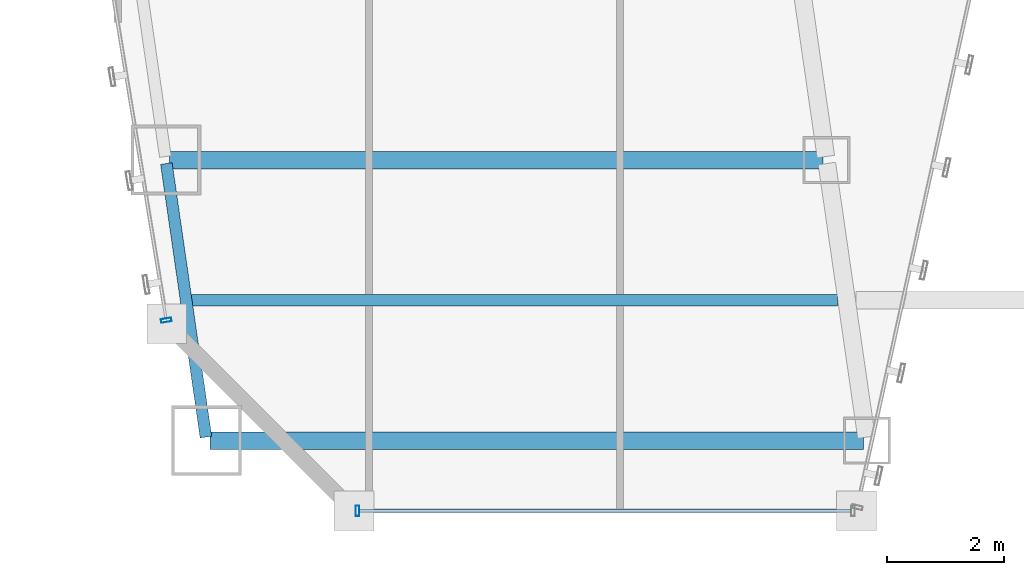
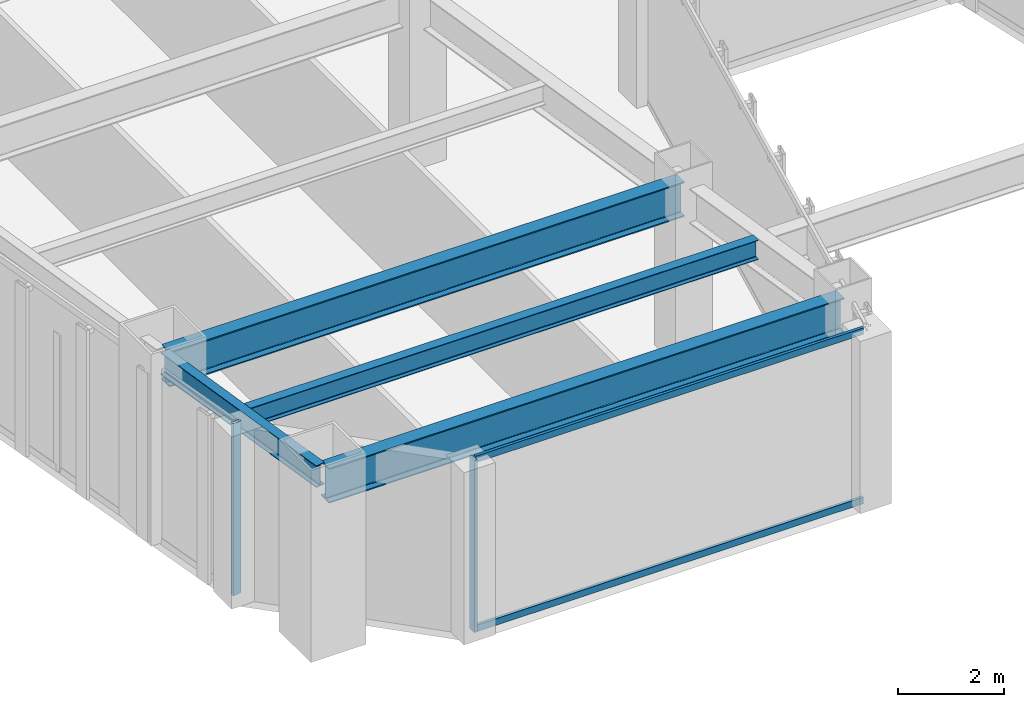
# One storey, part 4 of 47: 4 beams, 4 members, 2 elements without a shape of their own.
"""IFC4 building model written with IfcOpenShell, lengths in metres."""

from ifc_helpers import new_model, si_unit, direction, frame, origin, origin_2d, place, context, subcontext, project, spatial, hollow_rectangle, i_section, extrude, material, material_profile, profile_set, type_object, element, aggregate, save


model = new_model("IFC4")

# Units and contexts
model_context = context("Model", 3, precision=1e-05, world=origin(), true_north=direction((0.0, 1.0)))
body_context = subcontext(model_context, "Body", "Model", "MODEL_VIEW")
ifc_project = project(units=[si_unit("LENGTHUNIT", "METRE"), si_unit("AREAUNIT", "SQUARE_METRE"), si_unit("VOLUMEUNIT", "CUBIC_METRE"), si_unit("PLANEANGLEUNIT", "RADIAN"), si_unit("MASSUNIT", "GRAM", prefix="KILO")], contexts=[model_context])

# Site, building, storey
site_placement = place(None, origin())
site = spatial("IfcSite", under=ifc_project, at=site_placement, CompositionType="ELEMENT")
building_placement = place(site_placement, origin())
building = spatial("IfcBuilding", under=site, at=building_placement, Name="Saevonmaru Cultural Tower", CompositionType="ELEMENT")
storey_placement = place(building_placement, frame((0.0, 0.0, 82.39990234375)))
storey = spatial("IfcBuildingStorey", under=building, at=storey_placement, Name="L17", CompositionType="ELEMENT", Elevation=82.39990234375)

# Beams
ifc_material_1 = material(Name="Steel SM420", Category="steel")
ifc_material_profile_1 = material_profile(ifc_material_1, i_section(OverallWidth=0.300048828125, OverallDepth=0.800048828125, WebThickness=0.013916015625, FlangeThickness=0.02587890625, FilletRadius=0.028076171875, at=origin_2d()), Name="H-800x300x14x26")
ifc_profile_set_1 = profile_set([ifc_material_profile_1], Name="Steel SM420")
beam_type_1 = type_object("IfcBeamType", Name="BM-G-H800", PredefinedType="BEAM", material=ifc_profile_set_1)
for number, where, z_axis, x_axis, name in (
    (1, (12.537109375, 3.199951171875, 3.550048828125), (1.0, 0.0, 0.0), (0.0, 1.0, 0.0), "L17 West Wing Transverse Girder 1"),
    (2, (11.843017578125, 8.0, 3.550048828125), (1.0, 0.0, 0.0), (0.0, 1.0, 0.0), "L17 West Wing Transverse Girder 2"),
):
    element("IfcBeam", number, at=place(storey_placement, frame(where, z_axis=z_axis, x_axis=x_axis)), inside=storey, type_object=beam_type_1, Name=name, PredefinedType="BEAM", context=body_context, shape_type="SweptSolid", body=[
        extrude(i_section(OverallWidth=0.300048828125, OverallDepth=0.800048828125, WebThickness=0.013916015625, FlangeThickness=0.02587890625, FilletRadius=0.028076171875, at=origin_2d()), origin(), (0.0, 0.0, 1.0), 11.179931640625),
    ])
ifc_material_2 = material(Name="Steel SM355", Category="steel")
ifc_material_profile_2 = material_profile(ifc_material_2, i_section(OverallWidth=0.199951171875, OverallDepth=0.449951171875, WebThickness=0.009033203125, FlangeThickness=0.013916015625, FilletRadius=0.01806640625, at=origin_2d()), Name="H-450x200x9x14")
ifc_profile_set_2 = profile_set([ifc_material_profile_2], Name="Steel SM355")
beam_type_2 = type_object("IfcBeamType", Name="BM-J-H450", PredefinedType="JOIST", material=ifc_profile_set_2)
beam_1_placement = place(storey_placement, frame((12.18994140625, 5.60009765625, 3.72509765625), z_axis=(1.0, 0.0, 0.0), x_axis=(0.0, 1.0, 0.0)))
element("IfcBeam", 3, at=beam_1_placement, inside=storey, type_object=beam_type_2, Name="L17 West Wing Floor Joist 1", PredefinedType="JOIST", context=body_context, shape_type="SweptSolid", body=[
    extrude(i_section(OverallWidth=0.199951171875, OverallDepth=0.449951171875, WebThickness=0.009033203125, FlangeThickness=0.013916015625, FilletRadius=0.01806640625, at=origin_2d()), origin(), (0.0, 0.0, 1.0), 11.08203125),
])
ifc_material_profile_3 = material_profile(ifc_material_2, i_section(OverallWidth=0.199951171875, OverallDepth=0.5, WebThickness=0.010009765625, FlangeThickness=0.01611328125, FilletRadius=0.02001953125, at=origin_2d()), Name="H-500x200x10x16")
ifc_profile_set_3 = profile_set([ifc_material_profile_3], Name="Steel SM355")
beam_type_3 = type_object("IfcBeamType", Name="BM-SP-H500", PredefinedType="SPANDREL", material=ifc_profile_set_3)
beam_2_placement = place(storey_placement, frame((12.468505859375, 3.259521484375, 3.7001953125), z_axis=(-0.14313379491, 0.989703347855, 0.0), x_axis=(-0.989703347855, -0.14313379491, 0.0)))
element("IfcBeam", 4, at=beam_2_placement, inside=storey, type_object=beam_type_3, Name="L17 West Splayed Spandrel 1", PredefinedType="SPANDREL", context=body_context, shape_type="SweptSolid", body=[
    extrude(i_section(OverallWidth=0.199951171875, OverallDepth=0.5, WebThickness=0.010009765625, FlangeThickness=0.01611328125, FilletRadius=0.02001953125, at=origin_2d()), origin(), (0.0, 0.0, 1.0), 4.729736328125),
])

# Curtain wall, member
ifc_material_3 = material(Name="Satin Bronze Anodised Aluminium", Category="aluminium")
curtain_wall_type = type_object("IfcCurtainWallType", Name="CW-TYP-A", PredefinedType="NOTDEFINED", material=ifc_material_3)
curtain_wall_1_placement = place(storey_placement, origin())
curtain_wall_1 = element("IfcCurtainWall", 5, at=curtain_wall_1_placement, inside=storey, type_object=curtain_wall_type, Name="L17 Unitised Curtain Wall E2", PredefinedType="NOTDEFINED")
ifc_material_profile_4 = material_profile(ifc_material_3, hollow_rectangle(XDim=0.06494140625, YDim=0.179931640625, WallThickness=0.00390625, at=origin_2d()), Name="ALU-MULL-180x65x4")
ifc_profile_set_4 = profile_set([ifc_material_profile_4], Name="Satin Bronze Anodised Aluminium")
member_type_1 = type_object("IfcMemberType", Name="ML-CW-180x65", PredefinedType="MULLION", material=ifc_profile_set_4)
member_1_placement = place(storey_placement, frame((15.06005859375, 2.0, 0.0), z_axis=(0.0, 0.0, 1.0), x_axis=(1.0, 0.0, 0.0)))
member_1 = element("IfcMember", 6, at=member_1_placement, type_object=member_type_1, Name="CW-TW-L17-E2 mullion 1", PredefinedType="MULLION", context=body_context, shape_type="SweptSolid", body=[
    extrude(hollow_rectangle(XDim=0.06494140625, YDim=0.179931640625, WallThickness=0.00390625, at=origin_2d()), origin(), (0.0, 0.0, 1.0), 3.9501953125),
])

curtain_wall_2_placement = place(storey_placement, origin())
curtain_wall_2 = element("IfcCurtainWall", 7, at=curtain_wall_2_placement, inside=storey, type_object=curtain_wall_type, Name="L17 Unitised Curtain Wall E12", PredefinedType="NOTDEFINED")
member_2_placement = place(storey_placement, frame((11.790283203125, 5.25927734375, 0.0), z_axis=(0.0, 0.0, 1.0), x_axis=(0.161708868641, -0.986838508472, 0.0)))
member_2 = element("IfcMember", 8, at=member_2_placement, type_object=member_type_1, Name="CW-TW-L17-E12 mullion 5", PredefinedType="MULLION", context=body_context, shape_type="SweptSolid", body=[
    extrude(hollow_rectangle(XDim=0.06494140625, YDim=0.179931640625, WallThickness=0.00390625, at=origin_2d()), origin(), (0.0, 0.0, 1.0), 3.9501953125),
])
aggregate(curtain_wall_2, [member_2])

# Member
ifc_material_profile_5 = material_profile(ifc_material_3, hollow_rectangle(XDim=0.06494140625, YDim=0.14990234375, WallThickness=0.00390625, at=origin_2d()), Name="ALU-TRAN-150x65x4")
ifc_profile_set_5 = profile_set([ifc_material_profile_5], Name="Satin Bronze Anodised Aluminium")
member_type_2 = type_object("IfcMemberType", Name="TR-CW-150x65", PredefinedType="USERDEFINED", material=ifc_profile_set_5)
member_3_placement = place(storey_placement, frame((15.092529296875, 2.0, 0.03271484375), z_axis=(1.0, 0.0, 0.0), x_axis=(0.0, 1.0, 0.0)))
member_3 = element("IfcMember", 9, at=member_3_placement, type_object=member_type_2, Name="CW-TW-L17-E2 transom 1.1", ObjectType="TRANSOM", PredefinedType="USERDEFINED", context=body_context, shape_type="SweptSolid", body=[
    extrude(hollow_rectangle(XDim=0.06494140625, YDim=0.14990234375, WallThickness=0.00390625, at=origin_2d()), origin(), (0.0, 0.0, 1.0), 8.4150390625),
])

member_4_placement = place(storey_placement, frame((15.092529296875, 2.0, 3.91748046875), z_axis=(1.0, 0.0, 0.0), x_axis=(0.0, 1.0, 0.0)))
member_4 = element("IfcMember", 10, at=member_4_placement, type_object=member_type_2, Name="CW-TW-L17-E2 transom 1.2", ObjectType="TRANSOM", PredefinedType="USERDEFINED", context=body_context, shape_type="SweptSolid", body=[
    extrude(hollow_rectangle(XDim=0.06494140625, YDim=0.14990234375, WallThickness=0.00390625, at=origin_2d()), origin(), (0.0, 0.0, 1.0), 8.4150390625),
])

aggregate(curtain_wall_1, [member_1, member_3, member_4])

save(model, "model.ifc")
